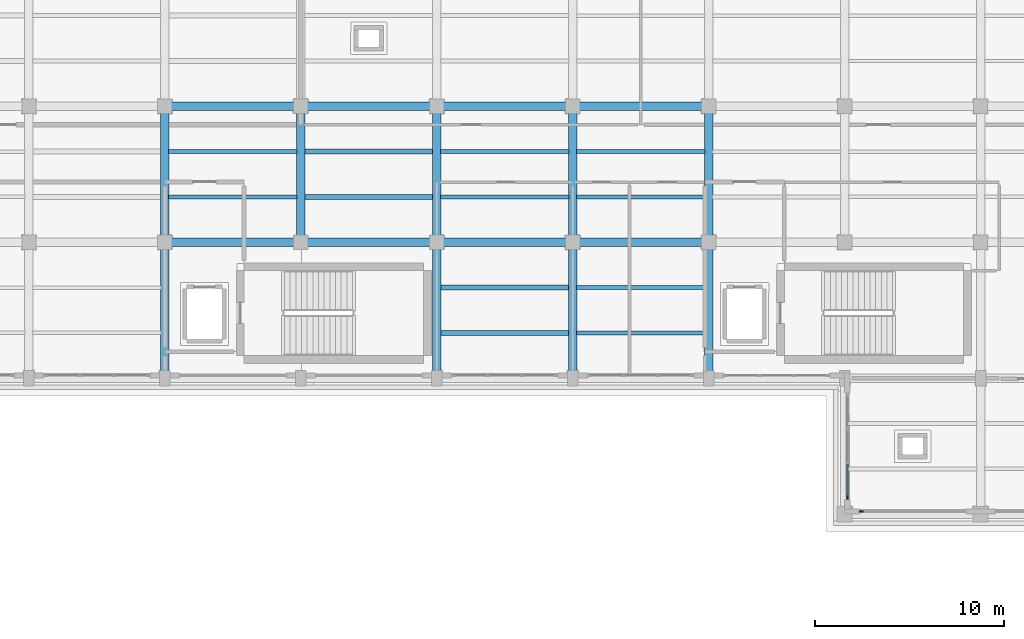
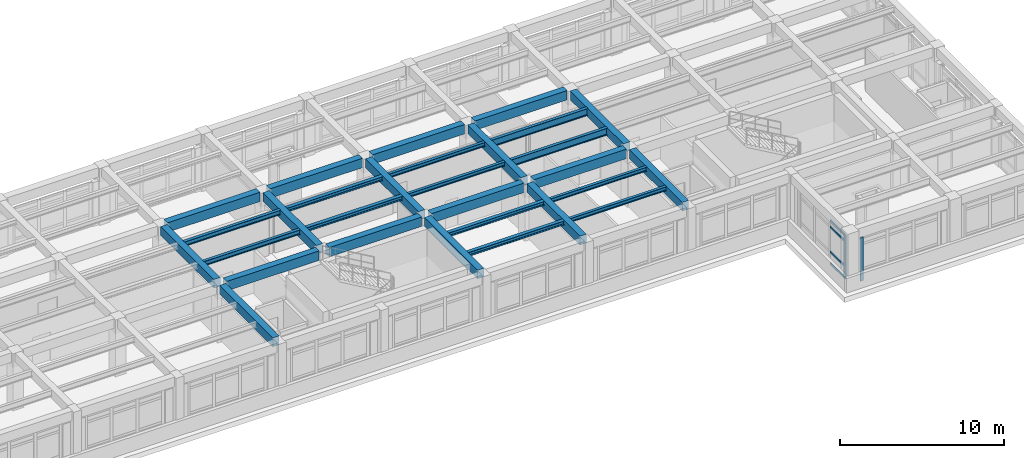
# One storey, part 26 of 67: 29 beams, 6 members, 2 elements without a shape of their own.
"""IFC4 building model written with IfcOpenShell, lengths in metres."""

from ifc_helpers import new_model, si_unit, direction, frame, origin, origin_2d, place, context, subcontext, project, spatial, rectangle, i_section, extrude, material, layer, layer_set, material_profile, profile_set, type_object, element, aggregate, save


model = new_model("IFC4")

# Units and contexts
model_context = context("Model", 3, precision=1e-05, world=origin(), true_north=direction((0.0, 1.0)))
body_context = subcontext(model_context, "Body", "Model", "MODEL_VIEW")
ifc_project = project(units=[si_unit("LENGTHUNIT", "METRE"), si_unit("AREAUNIT", "SQUARE_METRE"), si_unit("VOLUMEUNIT", "CUBIC_METRE"), si_unit("PLANEANGLEUNIT", "RADIAN"), si_unit("MASSUNIT", "GRAM", prefix="KILO")], contexts=[model_context])

# Site, building, storey
site_placement = place(None, origin())
site = spatial("IfcSite", under=ifc_project, at=site_placement, CompositionType="ELEMENT")
building_placement = place(site_placement, origin())
building = spatial("IfcBuilding", under=site, at=building_placement, Name="Solenvale Faculty of Natural Sciences", CompositionType="ELEMENT")
storey_placement = place(building_placement, frame((0.0, 0.0, 13.5)))
storey = spatial("IfcBuildingStorey", under=building, at=storey_placement, Name="L03", CompositionType="ELEMENT", Elevation=13.5)

# Beams
ifc_material_1 = material(Name="Concrete 40 MPa", Category="concrete")
ifc_material_profile_1 = material_profile(ifc_material_1, rectangle(XDim=0.449951171875, YDim=0.64990234375, at=origin_2d()), Name="RC-BM-450x650")
ifc_profile_set_1 = profile_set([ifc_material_profile_1], Name="Concrete 40 MPa")
beam_type_1 = type_object("IfcBeamType", Name="BM-RC-450x650", PredefinedType="BEAM", material=ifc_profile_set_1)
beam_1_placement = place(storey_placement, frame((100.800048828125, 93.97998046875, 3.89501953125), z_axis=(0.0, 1.0, 0.0), x_axis=(-1.0, 0.0, 0.0)))
element("IfcBeam", 1, at=beam_1_placement, inside=storey, type_object=beam_type_1, Name="L03 Y-Girder X100.8 (93.6..100.8)", PredefinedType="BEAM", context=body_context, shape_type="SweptSolid", body=[
    extrude(rectangle(XDim=0.449951171875, YDim=0.64990234375, at=origin_2d()), origin(), (0.0, 0.0, 1.0), 6.465087890625),
])
for number, where, z_axis, x_axis, name in (
    (2, (100.800048828125, 101.155029296875, 3.89501953125), (0.0, 1.0, 0.0), (-1.0, 0.0, 0.0), "L03 Y-Girder X100.8 (100.8..108.0)"),
    (3, (108.0, 101.155029296875, 3.89501953125), (0.0, 1.0, 0.0), (-1.0, 0.0, 0.0), "L03 Y-Girder X108.0 (100.8..108.0)"),
):
    element("IfcBeam", number, at=place(storey_placement, frame(where, z_axis=z_axis, x_axis=x_axis)), inside=storey, type_object=beam_type_1, Name=name, PredefinedType="BEAM", context=body_context, shape_type="SweptSolid", body=[
        extrude(rectangle(XDim=0.449951171875, YDim=0.64990234375, at=origin_2d()), origin(), (0.0, 0.0, 1.0), 6.489990234375),
    ])
beam_2_placement = place(storey_placement, frame((115.199951171875, 93.97998046875, 3.89501953125), z_axis=(0.0, 1.0, 0.0), x_axis=(-1.0, 0.0, 0.0)))
element("IfcBeam", 4, at=beam_2_placement, inside=storey, type_object=beam_type_1, Name="L03 Y-Girder X115.2 (93.6..100.8)", PredefinedType="BEAM", context=body_context, shape_type="SweptSolid", body=[
    extrude(rectangle(XDim=0.449951171875, YDim=0.64990234375, at=origin_2d()), origin(), (0.0, 0.0, 1.0), 6.465087890625),
])
beam_3_placement = place(storey_placement, frame((115.199951171875, 101.155029296875, 3.89501953125), z_axis=(0.0, 1.0, 0.0), x_axis=(-1.0, 0.0, 0.0)))
element("IfcBeam", 5, at=beam_3_placement, inside=storey, type_object=beam_type_1, Name="L03 Y-Girder X115.2 (100.8..108.0)", PredefinedType="BEAM", context=body_context, shape_type="SweptSolid", body=[
    extrude(rectangle(XDim=0.449951171875, YDim=0.64990234375, at=origin_2d()), origin(), (0.0, 0.0, 1.0), 6.489990234375),
])
beam_4_placement = place(storey_placement, frame((122.39990234375, 93.97998046875, 3.89501953125), z_axis=(0.0, 1.0, 0.0), x_axis=(-1.0, 0.0, 0.0)))
element("IfcBeam", 6, at=beam_4_placement, inside=storey, type_object=beam_type_1, Name="L03 Y-Girder X122.4 (93.6..100.8)", PredefinedType="BEAM", context=body_context, shape_type="SweptSolid", body=[
    extrude(rectangle(XDim=0.449951171875, YDim=0.64990234375, at=origin_2d()), origin(), (0.0, 0.0, 1.0), 6.465087890625),
])
beam_5_placement = place(storey_placement, frame((122.39990234375, 101.155029296875, 3.89501953125), z_axis=(0.0, 1.0, 0.0), x_axis=(-1.0, 0.0, 0.0)))
element("IfcBeam", 7, at=beam_5_placement, inside=storey, type_object=beam_type_1, Name="L03 Y-Girder X122.4 (100.8..108.0)", PredefinedType="BEAM", context=body_context, shape_type="SweptSolid", body=[
    extrude(rectangle(XDim=0.449951171875, YDim=0.64990234375, at=origin_2d()), origin(), (0.0, 0.0, 1.0), 6.489990234375),
])
beam_6_placement = place(storey_placement, frame((129.60009765625, 93.97998046875, 3.89501953125), z_axis=(0.0, 1.0, 0.0), x_axis=(-1.0, 0.0, 0.0)))
element("IfcBeam", 8, at=beam_6_placement, inside=storey, type_object=beam_type_1, Name="L03 Y-Girder X129.6 (93.6..100.8)", PredefinedType="BEAM", context=body_context, shape_type="SweptSolid", body=[
    extrude(rectangle(XDim=0.449951171875, YDim=0.64990234375, at=origin_2d()), origin(), (0.0, 0.0, 1.0), 6.465087890625),
])
beam_7_placement = place(storey_placement, frame((129.60009765625, 101.155029296875, 3.89501953125), z_axis=(0.0, 1.0, 0.0), x_axis=(-1.0, 0.0, 0.0)))
element("IfcBeam", 9, at=beam_7_placement, inside=storey, type_object=beam_type_1, Name="L03 Y-Girder X129.6 (100.8..108.0)", PredefinedType="BEAM", context=body_context, shape_type="SweptSolid", body=[
    extrude(rectangle(XDim=0.449951171875, YDim=0.64990234375, at=origin_2d()), origin(), (0.0, 0.0, 1.0), 6.489990234375),
])
ifc_material_profile_2 = material_profile(ifc_material_1, rectangle(XDim=0.449951171875, YDim=0.699951171875, at=origin_2d()), Name="RC-BM-450x700")
ifc_profile_set_2 = profile_set([ifc_material_profile_2], Name="Concrete 40 MPa")
beam_type_2 = type_object("IfcBeamType", Name="BM-RC-450x700", PredefinedType="BEAM", material=ifc_profile_set_2)
for number, where, z_axis, x_axis, name in (
    (10, (101.155029296875, 100.800048828125, 3.8701171875), (1.0, 0.0, 0.0), (0.0, 1.0, 0.0), "L03 X-Girder Y100.8 (100.8..108.0)"),
    (11, (108.35498046875, 100.800048828125, 3.8701171875), (1.0, 0.0, 0.0), (0.0, 1.0, 0.0), "L03 X-Girder Y100.8 (108.0..115.2)"),
    (12, (115.554931640625, 100.800048828125, 3.8701171875), (1.0, 0.0, 0.0), (0.0, 1.0, 0.0), "L03 X-Girder Y100.8 (115.2..122.4)"),
):
    element("IfcBeam", number, at=place(storey_placement, frame(where, z_axis=z_axis, x_axis=x_axis)), inside=storey, type_object=beam_type_2, Name=name, PredefinedType="BEAM", context=body_context, shape_type="SweptSolid", body=[
        extrude(rectangle(XDim=0.449951171875, YDim=0.699951171875, at=origin_2d()), origin(), (0.0, 0.0, 1.0), 6.489990234375),
    ])
beam_8_placement = place(storey_placement, frame((122.7548828125, 100.800048828125, 3.8701171875), z_axis=(1.0, 0.0, 0.0), x_axis=(0.0, 1.0, 0.0)))
element("IfcBeam", 13, at=beam_8_placement, inside=storey, type_object=beam_type_2, Name="L03 X-Girder Y100.8 (122.4..129.6)", PredefinedType="BEAM", context=body_context, shape_type="SweptSolid", body=[
    extrude(rectangle(XDim=0.449951171875, YDim=0.699951171875, at=origin_2d()), origin(), (0.0, 0.0, 1.0), 6.490234375),
])
for number, where, z_axis, x_axis, name in (
    (14, (101.155029296875, 108.0, 3.8701171875), (1.0, 0.0, 0.0), (0.0, 1.0, 0.0), "L03 X-Girder Y108.0 (100.8..108.0)"),
    (15, (108.35498046875, 108.0, 3.8701171875), (1.0, 0.0, 0.0), (0.0, 1.0, 0.0), "L03 X-Girder Y108.0 (108.0..115.2)"),
    (16, (115.554931640625, 108.0, 3.8701171875), (1.0, 0.0, 0.0), (0.0, 1.0, 0.0), "L03 X-Girder Y108.0 (115.2..122.4)"),
):
    element("IfcBeam", number, at=place(storey_placement, frame(where, z_axis=z_axis, x_axis=x_axis)), inside=storey, type_object=beam_type_2, Name=name, PredefinedType="BEAM", context=body_context, shape_type="SweptSolid", body=[
        extrude(rectangle(XDim=0.449951171875, YDim=0.699951171875, at=origin_2d()), origin(), (0.0, 0.0, 1.0), 6.489990234375),
    ])
beam_9_placement = place(storey_placement, frame((122.7548828125, 108.0, 3.8701171875), z_axis=(1.0, 0.0, 0.0), x_axis=(0.0, 1.0, 0.0)))
element("IfcBeam", 17, at=beam_9_placement, inside=storey, type_object=beam_type_2, Name="L03 X-Girder Y108.0 (122.4..129.6)", PredefinedType="BEAM", context=body_context, shape_type="SweptSolid", body=[
    extrude(rectangle(XDim=0.449951171875, YDim=0.699951171875, at=origin_2d()), origin(), (0.0, 0.0, 1.0), 6.490234375),
])
ifc_material_2 = material(Name="Steel S355", Category="steel")
ifc_material_profile_3 = material_profile(ifc_material_2, i_section(OverallWidth=0.202880859375, OverallDepth=0.302978515625, WebThickness=0.007568359375, FlangeThickness=0.01318359375, FilletRadius=0.014892578125, at=origin_2d()), Name="W310x60")
ifc_profile_set_3 = profile_set([ifc_material_profile_3], Name="Steel S355")
beam_type_3 = type_object("IfcBeamType", Name="BM-STL-W310x60", PredefinedType="JOIST", material=ifc_profile_set_3)
for number, where, z_axis, x_axis, name in (
    (18, (115.405029296875, 103.199951171875, 4.068603515625), (1.0, 0.0, 0.0), (0.0, 1.0, 0.0), "L03 Composite Floor Joist (17,15).1"),
    (19, (115.405029296875, 105.60009765625, 4.068603515625), (1.0, 0.0, 0.0), (0.0, 1.0, 0.0), "L03 Composite Floor Joist (17,15).2"),
    (20, (122.60498046875, 96.0, 4.068603515625), (1.0, 0.0, 0.0), (0.0, 1.0, 0.0), "L03 Composite Floor Joist (18,14).1"),
    (21, (122.60498046875, 98.39990234375, 4.068603515625), (1.0, 0.0, 0.0), (0.0, 1.0, 0.0), "L03 Composite Floor Joist (18,14).2"),
):
    element("IfcBeam", number, at=place(storey_placement, frame(where, z_axis=z_axis, x_axis=x_axis)), inside=storey, type_object=beam_type_3, Name=name, PredefinedType="JOIST", context=body_context, shape_type="SweptSolid", body=[
        extrude(i_section(OverallWidth=0.202880859375, OverallDepth=0.302978515625, WebThickness=0.007568359375, FlangeThickness=0.01318359375, FilletRadius=0.014892578125, at=origin_2d()), origin(), (0.0, 0.0, 1.0), 6.7900390625),
    ])
ifc_material_profile_4 = material_profile(ifc_material_2, i_section(OverallWidth=0.25390625, OverallDepth=0.305908203125, WebThickness=0.0087890625, FlangeThickness=0.0146484375, FilletRadius=0.014892578125, at=origin_2d()), Name="W310x79")
ifc_profile_set_4 = profile_set([ifc_material_profile_4], Name="Steel S355")
beam_type_4 = type_object("IfcBeamType", Name="BM-STL-W310x79", PredefinedType="JOIST", material=ifc_profile_set_4)
for number, where, z_axis, x_axis, name in (
    (22, (108.205078125, 103.199951171875, 4.06689453125), (1.0, 0.0, 0.0), (0.0, 1.0, 0.0), "L03 Composite Floor Joist (16,15).1"),
    (23, (108.205078125, 105.60009765625, 4.06689453125), (1.0, 0.0, 0.0), (0.0, 1.0, 0.0), "L03 Composite Floor Joist (16,15).2"),
    (24, (115.405029296875, 96.0, 4.06689453125), (1.0, 0.0, 0.0), (0.0, 1.0, 0.0), "L03 Composite Floor Joist (17,14).1"),
    (25, (115.405029296875, 98.39990234375, 4.06689453125), (1.0, 0.0, 0.0), (0.0, 1.0, 0.0), "L03 Composite Floor Joist (17,14).2"),
):
    element("IfcBeam", number, at=place(storey_placement, frame(where, z_axis=z_axis, x_axis=x_axis)), inside=storey, type_object=beam_type_4, Name=name, PredefinedType="JOIST", context=body_context, shape_type="SweptSolid", body=[
        extrude(i_section(OverallWidth=0.25390625, OverallDepth=0.305908203125, WebThickness=0.0087890625, FlangeThickness=0.0146484375, FilletRadius=0.014892578125, at=origin_2d()), origin(), (0.0, 0.0, 1.0), 6.7900390625),
    ])
ifc_material_profile_5 = material_profile(ifc_material_2, i_section(OverallWidth=0.2041015625, OverallDepth=0.35009765625, WebThickness=0.008544921875, FlangeThickness=0.01513671875, FilletRadius=0.014892578125, at=origin_2d()), Name="W360x72")
ifc_profile_set_5 = profile_set([ifc_material_profile_5], Name="Steel S355")
beam_type_5 = type_object("IfcBeamType", Name="BM-STL-W360x72", PredefinedType="JOIST", material=ifc_profile_set_5)
for number, where, z_axis, x_axis, name in (
    (26, (101.0048828125, 103.199951171875, 4.044921875), (1.0, 0.0, 0.0), (0.0, 1.0, 0.0), "L03 Composite Floor Joist (15,15).1"),
    (27, (101.0048828125, 105.60009765625, 4.044921875), (1.0, 0.0, 0.0), (0.0, 1.0, 0.0), "L03 Composite Floor Joist (15,15).2"),
):
    element("IfcBeam", number, at=place(storey_placement, frame(where, z_axis=z_axis, x_axis=x_axis)), inside=storey, type_object=beam_type_5, Name=name, PredefinedType="JOIST", context=body_context, shape_type="SweptSolid", body=[
        extrude(i_section(OverallWidth=0.2041015625, OverallDepth=0.35009765625, WebThickness=0.008544921875, FlangeThickness=0.01513671875, FilletRadius=0.014892578125, at=origin_2d()), origin(), (0.0, 0.0, 1.0), 6.7900390625),
    ])
ifc_material_profile_6 = material_profile(ifc_material_2, i_section(OverallWidth=0.208984375, OverallDepth=0.532958984375, WebThickness=0.01025390625, FlangeThickness=0.015625, FilletRadius=0.01904296875, at=origin_2d()), Name="W530x92")
ifc_profile_set_6 = profile_set([ifc_material_profile_6], Name="Steel S355")
beam_type_6 = type_object("IfcBeamType", Name="BM-STL-W530x92", PredefinedType="JOIST", material=ifc_profile_set_6)
for number, where, z_axis, x_axis, name in (
    (28, (122.60498046875, 103.199951171875, 3.95361328125), (1.0, 0.0, 0.0), (0.0, 1.0, 0.0), "L03 Composite Floor Joist (18,15).1"),
    (29, (122.60498046875, 105.60009765625, 3.95361328125), (1.0, 0.0, 0.0), (0.0, 1.0, 0.0), "L03 Composite Floor Joist (18,15).2"),
):
    element("IfcBeam", number, at=place(storey_placement, frame(where, z_axis=z_axis, x_axis=x_axis)), inside=storey, type_object=beam_type_6, Name=name, PredefinedType="JOIST", context=body_context, shape_type="SweptSolid", body=[
        extrude(i_section(OverallWidth=0.208984375, OverallDepth=0.532958984375, WebThickness=0.01025390625, FlangeThickness=0.015625, FilletRadius=0.01904296875, at=origin_2d()), origin(), (0.0, 0.0, 1.0), 6.7900390625),
    ])

# Curtain wall, member
ifc_material_3 = material(Name="Anodised bronze aluminium", Category="aluminium")
ifc_layer = layer(ifc_material_3, 0.179931640625)
ifc_layer_set = layer_set([ifc_layer], Name="Anodised bronze aluminium")
curtain_wall_type = type_object("IfcCurtainWallType", Name="CW-TWR-MOD", PredefinedType="USERDEFINED", material=ifc_layer_set)
curtain_wall_1_placement = place(storey_placement, origin())
curtain_wall_1 = element("IfcCurtainWall", 30, at=curtain_wall_1_placement, inside=storey, type_object=curtain_wall_type, Name="L03 Curtain Wall CW-L03-P3-E1-B1", ObjectType="UNITISED CURTAIN WALL", PredefinedType="USERDEFINED")
ifc_material_profile_7 = material_profile(ifc_material_3, rectangle(XDim=0.074951171875, YDim=0.2099609375, at=origin_2d()), Name="ALU-MUL-75x210")
ifc_profile_set_7 = profile_set([ifc_material_profile_7], Name="Anodised bronze aluminium")
member_type_1 = type_object("IfcMemberType", Name="CWM-ALU-75x210", PredefinedType="MULLION", material=ifc_profile_set_7)
member_1_placement = place(storey_placement, frame((137.6875, 86.54248046875, 0.0), z_axis=(0.0, 0.0, 1.0), x_axis=(0.0, 1.0, 0.0)))
member_1 = element("IfcMember", 31, at=member_1_placement, type_object=member_type_1, Name="CW-04 mullion 1", PredefinedType="MULLION", context=body_context, shape_type="SweptSolid", body=[
    extrude(rectangle(XDim=0.074951171875, YDim=0.2099609375, at=origin_2d()), origin(), (0.0, 0.0, 1.0), 3.260009765625),
])
aggregate(curtain_wall_1, [member_1])

# Curtain wall, members
curtain_wall_2_placement = place(storey_placement, origin())
curtain_wall_2 = element("IfcCurtainWall", 32, at=curtain_wall_2_placement, inside=storey, type_object=curtain_wall_type, Name="L03 Curtain Wall CW-L03-P3-E7-B1", ObjectType="UNITISED CURTAIN WALL", PredefinedType="USERDEFINED")
member_2_placement = place(storey_placement, frame((136.9423828125, 87.28759765625, 0.0), z_axis=(0.0, 0.0, 1.0), x_axis=(1.0, 0.0, 0.0)))
member_2 = element("IfcMember", 33, at=member_2_placement, type_object=member_type_1, Name="CW-04 mullion 4", PredefinedType="MULLION", context=body_context, shape_type="SweptSolid", body=[
    extrude(rectangle(XDim=0.074951171875, YDim=0.2099609375, at=origin_2d()), origin(), (0.0, 0.0, 1.0), 3.260009765625),
])
ifc_material_profile_8 = material_profile(ifc_material_3, rectangle(XDim=0.074951171875, YDim=0.155029296875, at=origin_2d()), Name="ALU-TRN-75x155")
ifc_profile_set_8 = profile_set([ifc_material_profile_8], Name="Anodised bronze aluminium")
member_type_2 = type_object("IfcMemberType", Name="CWT-ALU-75x155", PredefinedType="USERDEFINED", material=ifc_profile_set_8)
member_3_placement = place(storey_placement, frame((136.9423828125, 89.0458984375, 0.03759765625), z_axis=(0.0, -1.0, 0.0), x_axis=(1.0, 0.0, 0.0)))
member_3 = element("IfcMember", 34, at=member_3_placement, type_object=member_type_2, Name="CW-04 transom 3.1", ObjectType="TRANSOM", PredefinedType="USERDEFINED", context=body_context, shape_type="SweptSolid", body=[
    extrude(rectangle(XDim=0.074951171875, YDim=0.155029296875, at=origin_2d()), origin(), (0.0, 0.0, 1.0), 1.720947265625),
])
member_4_placement = place(storey_placement, frame((136.9423828125, 89.0458984375, 0.89990234375), z_axis=(0.0, -1.0, 0.0), x_axis=(1.0, 0.0, 0.0)))
member_4 = element("IfcMember", 35, at=member_4_placement, type_object=member_type_2, Name="CW-04 transom 3.2", ObjectType="TRANSOM", PredefinedType="USERDEFINED", context=body_context, shape_type="SweptSolid", body=[
    extrude(rectangle(XDim=0.074951171875, YDim=0.155029296875, at=origin_2d()), origin(), (0.0, 0.0, 1.0), 1.720947265625),
])
member_5_placement = place(storey_placement, frame((136.9423828125, 89.0458984375, 2.760009765625), z_axis=(0.0, -1.0, 0.0), x_axis=(1.0, 0.0, 0.0)))
member_5 = element("IfcMember", 36, at=member_5_placement, type_object=member_type_2, Name="CW-04 transom 3.3", ObjectType="TRANSOM", PredefinedType="USERDEFINED", context=body_context, shape_type="SweptSolid", body=[
    extrude(rectangle(XDim=0.074951171875, YDim=0.155029296875, at=origin_2d()), origin(), (0.0, 0.0, 1.0), 1.720947265625),
])
member_6_placement = place(storey_placement, frame((136.9423828125, 89.0458984375, 3.222412109375), z_axis=(0.0, -1.0, 0.0), x_axis=(1.0, 0.0, 0.0)))
member_6 = element("IfcMember", 37, at=member_6_placement, type_object=member_type_2, Name="CW-04 transom 3.4", ObjectType="TRANSOM", PredefinedType="USERDEFINED", context=body_context, shape_type="SweptSolid", body=[
    extrude(rectangle(XDim=0.074951171875, YDim=0.155029296875, at=origin_2d()), origin(), (0.0, 0.0, 1.0), 1.720947265625),
])
aggregate(curtain_wall_2, [member_2, member_3, member_4, member_5, member_6])

save(model, "model.ifc")
